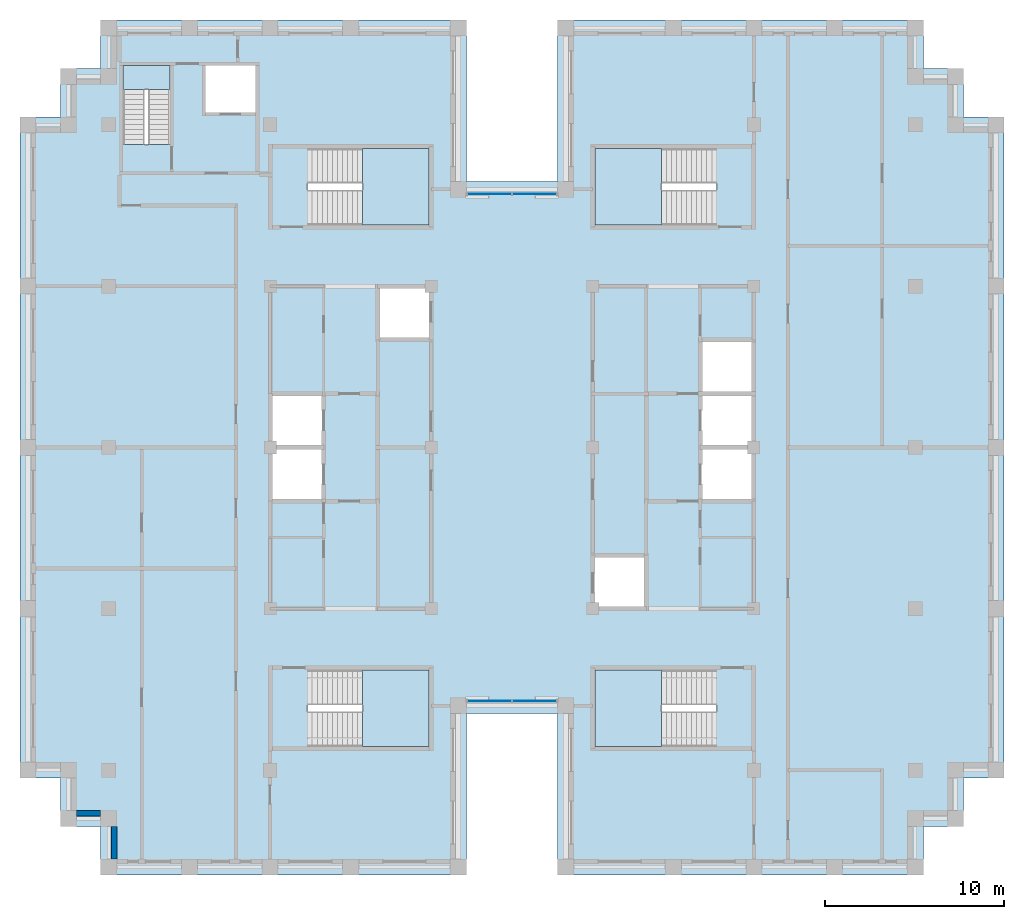
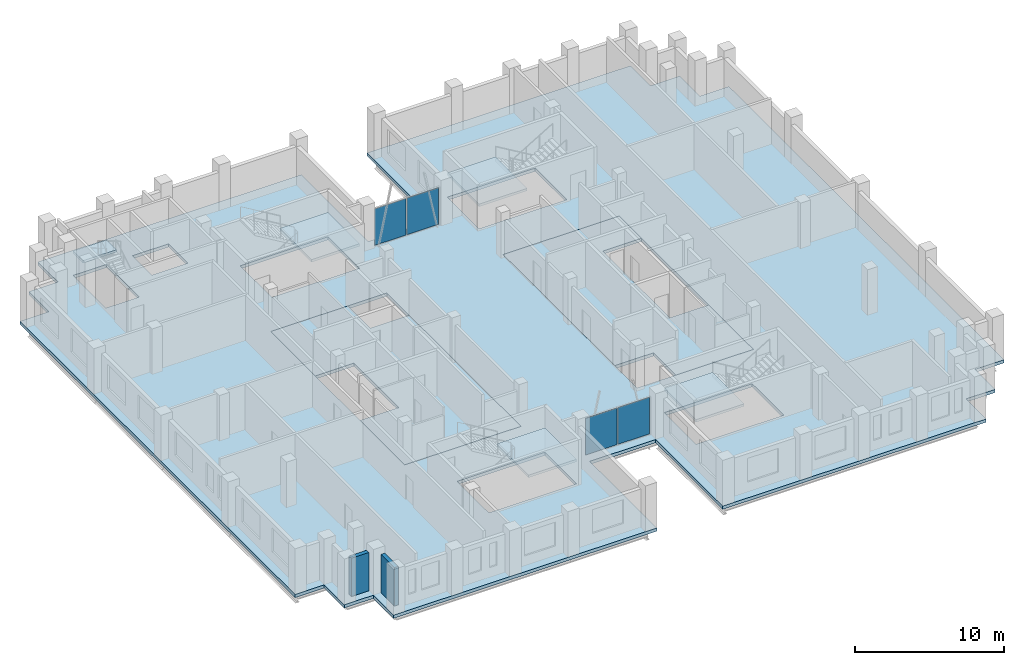
# One storey, part 5 of 13: 8 slabs, 4 plates, 2 walls, 7 elements without a shape of their own.
"""IFC4 building model written with IfcOpenShell, lengths in metres."""

import ifcopenshell
import ifcopenshell.guid

model = None  # the IFC model being written
_history = None  # IfcOwnerHistory: only IFC2X3 demands one
_inside = {}  # id of a spatial element -> (the spatial element, [elements in it])
_under = {}  # id of a project, library or spatial element -> (it, [spatial elements below it])
_declared = {}  # id of a project -> (the project, [libraries it declares])
_typed = {}  # id of a type object -> (the type object, [elements of that type])
_made_of = {}  # id of a material, layer set ... -> (it, [elements and type objects made of it])


def new_model(schema):
    """Start an empty IFC model of exactly this schema.

    Asked for "IFC4X3", IfcOpenShell would pick the latest addendum, in which some entities
    have other attributes; the version numbers below select the first issue.
    IFC2X3 requires an IfcOwnerHistory on every rooted entity: one is made here for all.
    """
    global model, _history
    if schema == "IFC4X3":
        model = ifcopenshell.file(schema_version=(4, 3, 0, 0))
    else:
        model = ifcopenshell.file(schema=schema)
    _inside.clear()
    _under.clear()
    _declared.clear()
    _typed.clear()
    _made_of.clear()
    _history = None
    if model.schema == "IFC2X3":
        org = make("IfcOrganization", Name="unknown")
        user = make(
            "IfcPersonAndOrganization",
            ThePerson=make("IfcPerson", FamilyName="unknown"),
            TheOrganization=org,
        )
        app = make(
            "IfcApplication",
            ApplicationDeveloper=org,
            Version="unknown",
            ApplicationFullName="unknown",
            ApplicationIdentifier="unknown",
        )
        _history = make(
            "IfcOwnerHistory",
            OwningUser=user,
            OwningApplication=app,
            ChangeAction="ADDED",
            CreationDate=0,
        )
    return model


def make(cls, **values):
    """One entity of the class cls with the attributes given. An attribute that is None is left unset."""
    return model.create_entity(
        cls, **{name: value for name, value in values.items() if value is not None}
    )


def rooted(cls, **values):
    """An entity with a GlobalId (a new one), such as an element, a storey or a relation."""
    return make(cls, GlobalId=ifcopenshell.guid.new(), OwnerHistory=_history, **values)


def si_unit(unit_type, name, prefix=None):
    """IfcSIUnit, for example si_unit("LENGTHUNIT", "METRE", prefix="MILLI")."""
    return make("IfcSIUnit", UnitType=unit_type, Prefix=prefix, Name=name)


def assignment(units):
    """IfcUnitAssignment: the units of a project."""
    return None if units is None else make("IfcUnitAssignment", Units=units)


def point(xyz):
    """IfcCartesianPoint."""
    return None if xyz is None else make("IfcCartesianPoint", Coordinates=xyz)


def direction(xyz):
    """IfcDirection."""
    return None if xyz is None else make("IfcDirection", DirectionRatios=xyz)


def frame(location, z_axis=None, x_axis=None):
    """IfcAxis2Placement3D, a coordinate frame: its origin and axes. An axis left out is left unset."""
    return make(
        "IfcAxis2Placement3D",
        Location=point(location),
        Axis=direction(z_axis),
        RefDirection=direction(x_axis),
    )


def frame_2d(location, x_axis=None):
    """IfcAxis2Placement2D, a coordinate frame in the plane: its origin and x axis."""
    return make(
        "IfcAxis2Placement2D", Location=point(location), RefDirection=direction(x_axis)
    )


def origin():
    """The frame at (0, 0, 0) with its axes left unset."""
    return frame((0.0, 0.0, 0.0))


def origin_2d():
    """The frame at (0, 0) in the plane with its x axis left unset."""
    return frame_2d((0.0, 0.0))


def place(relative_to, where):
    """IfcLocalPlacement: puts the frame where relative to a parent placement (None: the world)."""
    return make(
        "IfcLocalPlacement", PlacementRelTo=relative_to, RelativePlacement=where
    )


def context(
    kind, dimensions, precision=None, world=None, true_north=None, identifier=None
):
    """IfcGeometricRepresentationContext, for example the 3D "Model" context."""
    return make(
        "IfcGeometricRepresentationContext",
        ContextIdentifier=identifier,
        ContextType=kind,
        CoordinateSpaceDimension=dimensions,
        Precision=precision,
        WorldCoordinateSystem=world,
        TrueNorth=true_north,
    )


def subcontext(parent, identifier, kind, view, scale=None):
    """IfcGeometricRepresentationSubContext, for example "Body" below "Model"."""
    return make(
        "IfcGeometricRepresentationSubContext",
        ContextIdentifier=identifier,
        ContextType=kind,
        ParentContext=parent,
        TargetScale=scale,
        TargetView=view,
    )


def project(units=None, contexts=None):
    """IfcProject with its units and contexts."""
    return rooted(
        "IfcProject",
        Name="project",
        RepresentationContexts=contexts,
        UnitsInContext=assignment(units),
    )


def spatial(cls, under=None, at=None, **own):
    """A site, building, storey or space (cls), placed at a placement, below another one or the project."""
    s = rooted(cls, ObjectPlacement=at, **own)
    if under is not None:
        _under.setdefault(under.id(), (under, []))[1].append(s)
    return s


def polyline(points):
    """IfcPolyline through the points."""
    return make("IfcPolyline", Points=[point(p) for p in points])


def profile(cls, at=None, kind="AREA", **sizes):
    """A parametric profile (cls). Its sizes go by their IFC names, for example OverallWidth=200.0."""
    return make(cls, ProfileType=kind, Position=at, **sizes)


def rectangle(**sizes):
    """IfcRectangleProfileDef."""
    return profile("IfcRectangleProfileDef", **sizes)


def outline(outer, holes=None, kind="AREA"):
    """IfcArbitraryClosedProfileDef: a profile drawn as a closed curve; with holes, ...WithVoids."""
    if holes is None:
        return make("IfcArbitraryClosedProfileDef", ProfileType=kind, OuterCurve=outer)
    return make(
        "IfcArbitraryProfileDefWithVoids",
        ProfileType=kind,
        OuterCurve=outer,
        InnerCurves=holes,
    )


def extrude(swept, where, along, depth):
    """IfcExtrudedAreaSolid: the profile swept, set in the frame where, extruded along a direction by depth."""
    return make(
        "IfcExtrudedAreaSolid",
        SweptArea=swept,
        Position=where,
        ExtrudedDirection=direction(along),
        Depth=depth,
    )


def shape(context_of_items, identifier, shape_type, items):
    """IfcShapeRepresentation: the items that make up one representation, for example the "Body"."""
    return make(
        "IfcShapeRepresentation",
        ContextOfItems=context_of_items,
        RepresentationIdentifier=identifier,
        RepresentationType=shape_type,
        Items=items,
    )


def material(Name=None, Category=None):
    """IfcMaterial."""
    return make("IfcMaterial", Name=Name, Category=Category)


def layer(
    of_material, thickness, ventilated=None, Name=None, Category=None, Priority=None
):
    """IfcMaterialLayer: one layer of a wall or slab, of a material (None: an air gap)."""
    return make(
        "IfcMaterialLayer",
        Material=of_material,
        LayerThickness=thickness,
        IsVentilated=ventilated,
        Name=Name,
        Category=Category,
        Priority=Priority,
    )


def layer_set(layers, Name=None):
    """IfcMaterialLayerSet."""
    return make("IfcMaterialLayerSet", MaterialLayers=layers, LayerSetName=Name)


def made_of(thing, what):
    """Note that an element or type object is made of a material, layer set ...; save() writes the relation."""
    if what is not None:
        _made_of.setdefault(what.id(), (what, []))[1].append(thing)
    return thing


def type_object(cls, material=None, **own):
    """A type object (cls), such as IfcWallType, which elements share."""
    return made_of(rooted(cls, **own), material)


def element(
    cls,
    number,
    at=None,
    inside=None,
    cuts=None,
    type_object=None,
    material=None,
    context=None,
    identifier="Body",
    shape_type=None,
    held_by="IfcProductDefinitionShape",
    body=None,
    shapes=None,
    **own,
):
    """One element of the class cls, such as IfcWall. Its Tag is "e" and its number.

    at: its placement. inside: the storey or other place that contains it. cuts: it is an
    opening in that element (IfcRelVoidsElement). A single representation is given by context,
    identifier, shape_type and body (its items); several are given by shapes. held_by: the class
    of the entity that holds the representations. save() writes the other relations.
    """
    e = rooted(cls, Tag="e%d" % number, ObjectPlacement=at, **own)
    if body is not None:
        shapes = [shape(context, identifier, shape_type, body)]
    if shapes is not None:
        e.Representation = make(held_by, Representations=shapes)
    if inside is not None:
        _inside.setdefault(inside.id(), (inside, []))[1].append(e)
    if cuts is not None:
        rooted(
            "IfcRelVoidsElement", RelatingBuildingElement=cuts, RelatedOpeningElement=e
        )
    if type_object is not None:
        _typed.setdefault(type_object.id(), (type_object, []))[1].append(e)
    return made_of(e, material)


def aggregate(whole, parts):
    """IfcRelAggregates: a whole, such as a stair, and the parts it consists of."""
    return rooted("IfcRelAggregates", RelatingObject=whole, RelatedObjects=parts)


def save(model, path):
    """Write the relations noted so far, then the file.

    IfcRelAggregates (storeys below a building ...), IfcRelContainedInSpatialStructure (elements
    in a storey), IfcRelDefinesByType, IfcRelAssociatesMaterial and IfcRelDeclares: one each for
    every whole, place, type object, material and project.
    """
    for whole, parts in _under.values():
        aggregate(whole, parts)
    for where, things in _inside.values():
        rooted(
            "IfcRelContainedInSpatialStructure",
            RelatedElements=things,
            RelatingStructure=where,
        )
    for kind, things in _typed.values():
        rooted("IfcRelDefinesByType", RelatedObjects=things, RelatingType=kind)
    for what, things in _made_of.values():
        rooted("IfcRelAssociatesMaterial", RelatedObjects=things, RelatingMaterial=what)
    for by, libraries in _declared.values():
        rooted("IfcRelDeclares", RelatingContext=by, RelatedDefinitions=libraries)
    model.write(path)


model = new_model("IFC4")

# Units and contexts
model_context = context("Model", 3, precision=1e-05, world=origin(), true_north=direction((0.0, 1.0)))
body_context = subcontext(model_context, "Body", "Model", "MODEL_VIEW")
ifc_project = project(units=[si_unit("LENGTHUNIT", "METRE"), si_unit("AREAUNIT", "SQUARE_METRE"), si_unit("VOLUMEUNIT", "CUBIC_METRE"), si_unit("PLANEANGLEUNIT", "RADIAN"), si_unit("MASSUNIT", "GRAM", prefix="KILO")], contexts=[model_context])

# Site, building, storey
site_placement = place(None, origin())
site = spatial("IfcSite", under=ifc_project, at=site_placement, CompositionType="ELEMENT")
building_placement = place(site_placement, origin())
building = spatial("IfcBuilding", under=site, at=building_placement, Name="Corbelhall Arena Tower", CompositionType="ELEMENT")
storey_placement = place(building_placement, frame((0.0, 0.0, 312.0)))
storey = spatial("IfcBuildingStorey", under=building, at=storey_placement, Name="L68", CompositionType="ELEMENT", Elevation=312.0)

# Curtain wall, plates
ifc_material_1 = material(Name="Aluminium black anodised", Category="aluminium")
ifc_layer_1 = layer(ifc_material_1, 0.199951171875)
ifc_layer_set_1 = layer_set([ifc_layer_1], Name="EV-CW1 Slot back wall")
curtain_wall_type = type_object("IfcCurtainWallType", Name="EV-CW1 Slot back wall", PredefinedType="NOTDEFINED", material=ifc_layer_set_1)
curtain_wall_1_placement = place(storey_placement, origin())
curtain_wall_1 = element("IfcCurtainWall", 1, at=curtain_wall_1_placement, inside=storey, type_object=curtain_wall_type, Name="Curtain wall CW1", PredefinedType="NOTDEFINED")
ifc_material_2 = material(Name="Glass dark tinted laminated", Category="glass")
ifc_layer_2 = layer(ifc_material_2, 0.028076171875)
ifc_layer_set_2 = layer_set([ifc_layer_2], Name="EV-CW1-PANEL")
plate_type = type_object("IfcPlateType", Name="EV-CW1-PANEL", PredefinedType="CURTAIN_PANEL", material=ifc_layer_set_2)
plate_1_placement = place(storey_placement, frame((-1.25634765625, -14.14990234375, 0.0751953125), z_axis=(0.0, 0.0, 1.0), x_axis=(1.0, 0.0, 0.0)))
plate_1 = element("IfcPlate", 2, at=plate_1_placement, type_object=plate_type, Name="CW1 panel 1.1", PredefinedType="CURTAIN_PANEL", context=body_context, shape_type="SweptSolid", body=[
    extrude(rectangle(XDim=2.4375, YDim=0.028076171875, at=origin_2d()), origin(), (0.0, 0.0, 1.0), 2.989990234375),
])
plate_2_placement = place(storey_placement, frame((1.25634765625, -14.14990234375, 0.0751953125), z_axis=(0.0, 0.0, 1.0), x_axis=(1.0, 0.0, 0.0)))
plate_2 = element("IfcPlate", 3, at=plate_2_placement, type_object=plate_type, Name="CW1 panel 2.1", PredefinedType="CURTAIN_PANEL", context=body_context, shape_type="SweptSolid", body=[
    extrude(rectangle(XDim=2.4375, YDim=0.028076171875, at=origin_2d()), origin(), (0.0, 0.0, 1.0), 2.989990234375),
])
aggregate(curtain_wall_1, [plate_1, plate_2])

curtain_wall_2_placement = place(storey_placement, origin())
curtain_wall_2 = element("IfcCurtainWall", 4, at=curtain_wall_2_placement, inside=storey, type_object=curtain_wall_type, Name="Curtain wall CW1", PredefinedType="NOTDEFINED")
plate_3_placement = place(storey_placement, frame((1.25634765625, 14.14990234375, 0.0751953125), z_axis=(0.0, 0.0, 1.0), x_axis=(-1.0, 0.0, 0.0)))
plate_3 = element("IfcPlate", 5, at=plate_3_placement, type_object=plate_type, Name="CW1 panel 1.1", PredefinedType="CURTAIN_PANEL", context=body_context, shape_type="SweptSolid", body=[
    extrude(rectangle(XDim=2.4375, YDim=0.028076171875, at=origin_2d()), origin(), (0.0, 0.0, 1.0), 2.989990234375),
])
plate_4_placement = place(storey_placement, frame((-1.25634765625, 14.14990234375, 0.0751953125), z_axis=(0.0, 0.0, 1.0), x_axis=(-1.0, 0.0, 0.0)))
plate_4 = element("IfcPlate", 6, at=plate_4_placement, type_object=plate_type, Name="CW1 panel 2.1", PredefinedType="CURTAIN_PANEL", context=body_context, shape_type="SweptSolid", body=[
    extrude(rectangle(XDim=2.4375, YDim=0.028076171875, at=origin_2d()), origin(), (0.0, 0.0, 1.0), 2.989990234375),
])
aggregate(curtain_wall_2, [plate_3, plate_4])

# Slabs
ifc_material_3 = material(Name="Concrete C40/50", Category="concrete")
ifc_layer_3 = layer(ifc_material_3, 0.300048828125)
ifc_layer_set_3 = layer_set([ifc_layer_3], Name="IN-SL-CORE")
slab_type_1 = type_object("IfcSlabType", Name="IN-SL-CORE", PredefinedType="FLOOR", material=ifc_layer_set_3)
slab_1_placement = place(storey_placement, frame((0.0, 0.0, -0.260009765625)))
element("IfcSlab", 7, at=slab_1_placement, inside=storey, type_object=slab_type_1, Name="Core floor W", PredefinedType="FLOOR", context=body_context, shape_type="SweptSolid", body=[
    extrude(outline(polyline([(-13.5, -3.0), (-13.5, -9.0), (-4.5, -9.0), (-4.5, 6.0), (-7.5, 6.0), (-7.5, 9.0), (-13.5, 9.0), (-13.5, 3.0), (-10.5, 3.0), (-10.5, 0.0), (-10.5, -3.0), (-13.5, -3.0)])), origin(), (0.0, 0.0, 1.0), 0.260009765625),
])
slab_2_placement = place(storey_placement, frame((0.0, 0.0, -0.260009765625)))
element("IfcSlab", 8, at=slab_2_placement, inside=storey, type_object=slab_type_1, Name="Core floor E", PredefinedType="FLOOR", context=body_context, shape_type="SweptSolid", body=[
    extrude(outline(polyline([(10.5, 0.0), (10.5, 3.0), (10.5, 6.0), (13.5, 6.0), (13.5, 9.0), (4.5, 9.0), (4.5, -6.0), (7.5, -6.0), (7.5, -9.0), (13.5, -9.0), (13.5, -3.0), (10.5, -3.0), (10.5, 0.0)])), origin(), (0.0, 0.0, 1.0), 0.260009765625),
])

# Stair, slab
stair_type = type_object("IfcStairType", Name="IN-ST-TOWER", PredefinedType="HALF_TURN_STAIR", material=ifc_material_3)
stair_1_placement = place(storey_placement, origin())
stair_1 = element("IfcStair", 9, at=stair_1_placement, inside=storey, type_object=stair_type, Name="L68 Exit stair ST1", PredefinedType="HALF_TURN_STAIR")
ifc_layer_4 = layer(ifc_material_3, 0.199951171875)
ifc_layer_set_4 = layer_set([ifc_layer_4], Name="IN-SL-LANDING")
slab_type_2 = type_object("IfcSlabType", Name="IN-SL-LANDING", PredefinedType="LANDING", material=ifc_layer_set_4)
slab_3_placement = place(storey_placement, frame((0.0, 0.0, 1.800048828125)))
slab_3 = element("IfcSlab", 10, at=slab_3_placement, type_object=slab_type_2, Name="ST1 landing 1", PredefinedType="LANDING", context=body_context, shape_type="SweptSolid", body=[
    extrude(outline(polyline([(-8.344970703125, 12.425048828125), (-4.625, 12.425048828125), (-4.625, 16.675048828125), (-8.344970703125, 16.675048828125), (-8.344970703125, 12.425048828125)])), origin(), (0.0, 0.0, 1.0), 0.199951171875),
])
aggregate(stair_1, [slab_3])

stair_2_placement = place(storey_placement, origin())
stair_2 = element("IfcStair", 11, at=stair_2_placement, inside=storey, type_object=stair_type, Name="L68 Exit stair ST2", PredefinedType="HALF_TURN_STAIR")
slab_4_placement = place(storey_placement, frame((0.0, 0.0, 1.800048828125)))
slab_4 = element("IfcSlab", 12, at=slab_4_placement, type_object=slab_type_2, Name="ST2 landing 1", PredefinedType="LANDING", context=body_context, shape_type="SweptSolid", body=[
    extrude(outline(polyline([(-8.344970703125, -16.675048828125), (-4.625, -16.675048828125), (-4.625, -12.425048828125), (-8.344970703125, -12.425048828125), (-8.344970703125, -16.675048828125)])), origin(), (0.0, 0.0, 1.0), 0.199951171875),
])
aggregate(stair_2, [slab_4])

stair_3_placement = place(storey_placement, origin())
stair_3 = element("IfcStair", 13, at=stair_3_placement, inside=storey, type_object=stair_type, Name="L68 Exit stair ST3", PredefinedType="HALF_TURN_STAIR")
slab_5_placement = place(storey_placement, frame((0.0, 0.0, 1.800048828125)))
slab_5 = element("IfcSlab", 14, at=slab_5_placement, type_object=slab_type_2, Name="ST3 landing 1", PredefinedType="LANDING", context=body_context, shape_type="SweptSolid", body=[
    extrude(outline(polyline([(8.344970703125, 16.675048828125), (4.625, 16.675048828125), (4.625, 12.425048828125), (8.344970703125, 12.425048828125), (8.344970703125, 16.675048828125)])), origin(), (0.0, 0.0, 1.0), 0.199951171875),
])
aggregate(stair_3, [slab_5])

stair_4_placement = place(storey_placement, origin())
stair_4 = element("IfcStair", 15, at=stair_4_placement, inside=storey, type_object=stair_type, Name="L68 Exit stair ST4", PredefinedType="HALF_TURN_STAIR")
slab_6_placement = place(storey_placement, frame((0.0, 0.0, 1.800048828125)))
slab_6 = element("IfcSlab", 16, at=slab_6_placement, type_object=slab_type_2, Name="ST4 landing 1", PredefinedType="LANDING", context=body_context, shape_type="SweptSolid", body=[
    extrude(outline(polyline([(8.344970703125, -12.425048828125), (4.625, -12.425048828125), (4.625, -16.675048828125), (8.344970703125, -16.675048828125), (8.344970703125, -12.425048828125)])), origin(), (0.0, 0.0, 1.0), 0.199951171875),
])
aggregate(stair_4, [slab_6])

stair_5_placement = place(storey_placement, origin())
stair_5 = element("IfcStair", 17, at=stair_5_placement, inside=storey, type_object=stair_type, Name="L68 Exit stair ST5", PredefinedType="HALF_TURN_STAIR")
slab_7_placement = place(storey_placement, frame((0.0, 0.0, 1.800048828125)))
slab_7 = element("IfcSlab", 18, at=slab_7_placement, type_object=slab_type_2, Name="ST5 landing 1", PredefinedType="LANDING", context=body_context, shape_type="SweptSolid", body=[
    extrude(outline(polyline([(-19.094970703125, 19.97998046875), (-19.094970703125, 21.300048828125), (-21.695068359375, 21.300048828125), (-21.695068359375, 19.97998046875), (-19.094970703125, 19.97998046875)])), origin(), (0.0, 0.0, 1.0), 0.199951171875),
])
aggregate(stair_5, [slab_7])

# Slab
ifc_layer_5 = layer(ifc_material_3, 0.260009765625)
ifc_layer_set_5 = layer_set([ifc_layer_5], Name="ST-SLAB-FLOOR-260")
slab_type_3 = type_object("IfcSlabType", Name="ST-SLAB-FLOOR-260", PredefinedType="FLOOR", material=ifc_layer_set_5)
slab_8_placement = place(storey_placement, frame((0.0, 0.0, -0.260009765625)))
element("IfcSlab", 19, at=slab_8_placement, inside=storey, type_object=slab_type_3, Name="Floor slab L68 1", PredefinedType="FLOOR", context=body_context, shape_type="SweptSolid", body=[
    extrude(outline(polyline([(22.949951171875, 23.85009765625), (2.550048828125, 23.85009765625), (2.550048828125, 14.85009765625), (-2.550048828125, 14.85009765625), (-2.550048828125, 23.85009765625), (-22.949951171875, 23.85009765625), (-22.949951171875, 21.14990234375), (-25.199951171875, 21.14990234375), (-25.199951171875, 18.449951171875), (-27.449951171875, 18.449951171875), (-27.449951171875, -18.449951171875), (-25.199951171875, -18.449951171875), (-25.199951171875, -21.14990234375), (-22.949951171875, -21.14990234375), (-22.949951171875, -23.85009765625), (-2.550048828125, -23.85009765625), (-2.550048828125, -14.85009765625), (2.550048828125, -14.85009765625), (2.550048828125, -23.85009765625), (22.949951171875, -23.85009765625), (22.949951171875, -21.14990234375), (25.199951171875, -21.14990234375), (25.199951171875, -18.449951171875), (27.449951171875, -18.449951171875), (27.449951171875, 18.449951171875), (25.199951171875, 18.449951171875), (25.199951171875, 21.14990234375), (22.949951171875, 21.14990234375), (22.949951171875, 23.85009765625)]), holes=[polyline([(-13.5, 9.0), (-13.5, -9.0), (-4.5, -9.0), (-4.5, 9.0), (-13.5, 9.0)]), polyline([(4.5, 9.0), (4.5, -9.0), (13.5, -9.0), (13.5, 9.0), (4.5, 9.0)]), polyline([(-4.625, 16.675048828125), (-11.422119140625, 16.675048828125), (-11.422119140625, 12.425048828125), (-4.625, 12.425048828125), (-4.625, 16.675048828125)]), polyline([(-4.625, -16.675048828125), (-4.625, -12.425048828125), (-11.422119140625, -12.425048828125), (-11.422119140625, -16.675048828125), (-4.625, -16.675048828125)]), polyline([(11.422119140625, 16.675048828125), (4.625, 16.675048828125), (4.625, 12.425048828125), (11.422119140625, 12.425048828125), (11.422119140625, 16.675048828125)]), polyline([(11.422119140625, -16.675048828125), (11.422119140625, -12.425048828125), (4.625, -12.425048828125), (4.625, -16.675048828125), (11.422119140625, -16.675048828125)]), polyline([(-21.695068359375, 21.300048828125), (-21.695068359375, 16.903076171875), (-19.094970703125, 16.903076171875), (-19.094970703125, 21.300048828125), (-21.695068359375, 21.300048828125)]), polyline([(-14.300048828125, 21.300048828125), (-17.10009765625, 21.300048828125), (-17.10009765625, 18.699951171875), (-14.300048828125, 18.699951171875), (-14.300048828125, 21.300048828125)])]), origin(), (0.0, 0.0, 1.0), 0.260009765625),
])

# Walls
ifc_material_4 = material(Name="Precast concrete C40/50 with granite facing", Category="masonry")
ifc_layer_6 = layer(ifc_material_4, 0.300048828125)
ifc_layer_set_6 = layer_set([ifc_layer_6], Name="EV-IW1 Infill panel 300")
wall_type = type_object("IfcWallType", Name="EV-IW1 Infill panel 300", PredefinedType="SOLIDWALL", material=ifc_layer_set_6)
wall_1_placement = place(storey_placement, frame((-24.300048828125, -20.39990234375, 0.0), z_axis=(0.0, 0.0, 1.0), x_axis=(1.0, 0.0, 0.0)))
element("IfcWall", 20, at=wall_1_placement, inside=storey, type_object=wall_type, Name="Infill panel IW1", PredefinedType="SOLIDWALL", context=body_context, shape_type="SweptSolid", body=[
    extrude(rectangle(XDim=1.35009765625, YDim=0.300048828125, at=frame_2d((0.675048828125, 0.0))), origin(), (0.0, 0.0, 1.0), 3.139892578125),
])
wall_2_placement = place(storey_placement, frame((-22.199951171875, -21.14990234375, 0.0), z_axis=(0.0, 0.0, 1.0), x_axis=(0.0, -1.0, 0.0)))
element("IfcWall", 21, at=wall_2_placement, inside=storey, type_object=wall_type, Name="Infill panel IW1", PredefinedType="SOLIDWALL", context=body_context, shape_type="SweptSolid", body=[
    extrude(rectangle(XDim=1.800048828125, YDim=0.300048828125, at=frame_2d((0.89990234375, 0.0))), origin(), (0.0, 0.0, 1.0), 3.139892578125),
])

save(model, "model.ifc")
